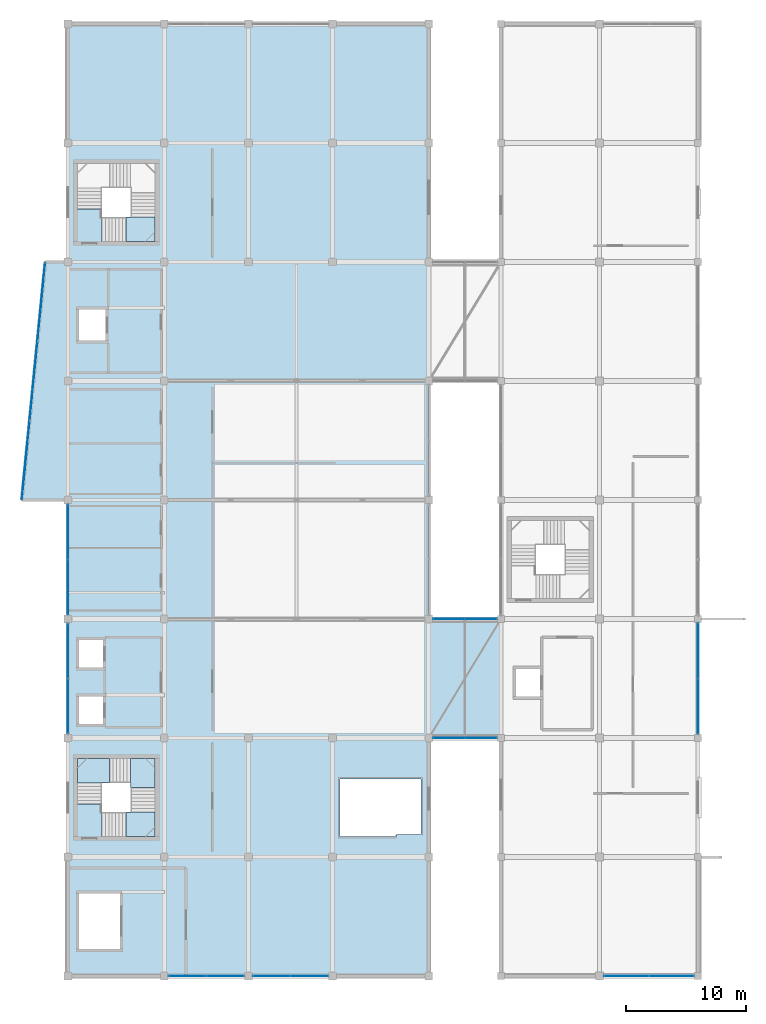
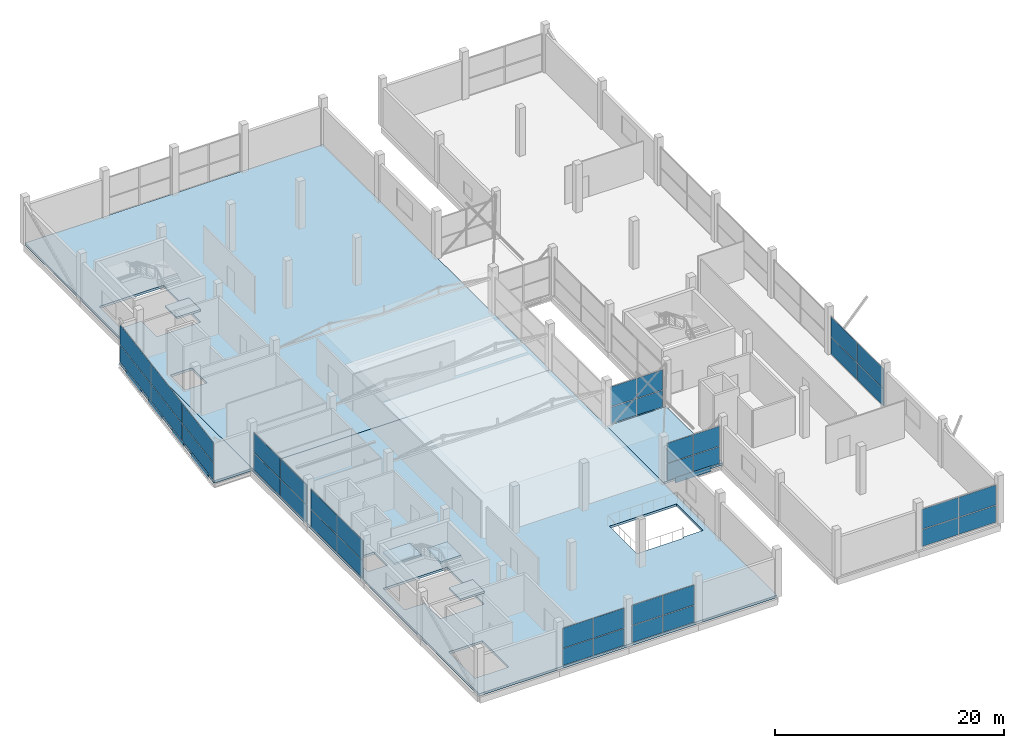
# One storey, part 43 of 58: 44 plates, 8 slabs, 11 elements without a shape of their own.
"""IFC4 building model written with IfcOpenShell, lengths in metres."""

from ifc_helpers import new_model, si_unit, direction, frame, origin, origin_2d, place, context, subcontext, project, spatial, polyline, rectangle, outline, extrude, material, layer, layer_set, type_object, element, aggregate, save


model = new_model("IFC4")

# Units and contexts
model_context = context("Model", 3, precision=1e-05, world=origin(), true_north=direction((0.0, 1.0)))
body_context = subcontext(model_context, "Body", "Model", "MODEL_VIEW")
ifc_project = project(units=[si_unit("LENGTHUNIT", "METRE"), si_unit("AREAUNIT", "SQUARE_METRE"), si_unit("VOLUMEUNIT", "CUBIC_METRE"), si_unit("PLANEANGLEUNIT", "RADIAN"), si_unit("MASSUNIT", "GRAM", prefix="KILO")], contexts=[model_context])

# Site, building, storey
site_placement = place(None, origin())
site = spatial("IfcSite", under=ifc_project, at=site_placement, CompositionType="ELEMENT")
building_placement = place(site_placement, origin())
building = spatial("IfcBuilding", under=site, at=building_placement, Name="Sillaruma Civic Art Gallery", CompositionType="ELEMENT")
storey_placement = place(building_placement, frame((0.0, 0.0, 52.02001953125)))
storey = spatial("IfcBuildingStorey", under=building, at=storey_placement, Name="L10", CompositionType="ELEMENT", Elevation=52.02001953125)

# Plates
ifc_material_1 = material(Name="Anodised Zinc-Aluminium Alloy", Category="aluminium")
ifc_layer_1 = layer(ifc_material_1, 0.044921875, Name="Anodised Zinc-Aluminium Alloy")
ifc_layer_set_1 = layer_set([ifc_layer_1], Name="Anodised Zinc-Aluminium Alloy")
plate_type_1 = type_object("IfcPlateType", Name="PLT-FAS-01", PredefinedType="USERDEFINED", material=ifc_layer_set_1)
for number, where, z_axis, x_axis, name in (
    (1, (58.4423828125, 62.3701171875, -0.489990234375), (0.0, 0.0, 1.0), (-0.098010679679, -0.99518536297, 0.0), "Folded Fascia Cassette (PRW-L10-W-4)"),
    (2, (95.0, 39.60009765625, -0.469970703125), (0.0, 0.0, 1.0), (1.0, 0.0, 0.0), "Sky-Bridge Fascia Cassette (BRG-S:L10:S)"),
    (3, (95.0, 49.5, -0.469970703125), (0.0, 0.0, 1.0), (1.0, 0.0, 0.0), "Sky-Bridge Fascia Cassette (BRG-S:L10:N)"),
):
    element("IfcPlate", number, at=place(storey_placement, frame(where, z_axis=z_axis, x_axis=x_axis)), inside=storey, type_object=plate_type_1, Name=name, ObjectType="FASCIA CASSETTE", PredefinedType="USERDEFINED", context=body_context, shape_type="SweptSolid", body=[
        extrude(rectangle(XDim=3.60009765625, YDim=0.044921875, at=origin_2d()), origin(), (0.0, 0.0, 1.0), 0.580078125),
    ])
ifc_layer_2 = layer(ifc_material_1, 0.041015625, Name="Anodised Zinc-Aluminium Alloy")
ifc_layer_set_2 = layer_set([ifc_layer_2], Name="Anodised Zinc-Aluminium Alloy")
plate_type_2 = type_object("IfcPlateType", Name="PLT-FAS-02", PredefinedType="USERDEFINED", material=ifc_layer_set_2)
plate_1_placement = place(storey_placement, frame((59.8076171875, 76.22998046875, -0.4599609375), z_axis=(0.0, 0.0, 1.0), x_axis=(-0.098010679679, -0.99518536297, 0.0)))
element("IfcPlate", 4, at=plate_1_placement, inside=storey, type_object=plate_type_2, Name="Folded Fascia Cassette (PRW-L10-W-1)", ObjectType="FASCIA CASSETTE", PredefinedType="USERDEFINED", context=body_context, shape_type="SweptSolid", body=[
    extrude(rectangle(XDim=3.199951171875, YDim=0.041015625, at=origin_2d()), origin(), (0.0, 0.0, 1.0), 0.52001953125),
])
ifc_layer_3 = layer(ifc_material_1, 0.0380859375, Name="Anodised Zinc-Aluminium Alloy")
ifc_layer_set_3 = layer_set([ifc_layer_3], Name="Anodised Zinc-Aluminium Alloy")
plate_type_3 = type_object("IfcPlateType", Name="PLT-FAS-03", PredefinedType="USERDEFINED", material=ifc_layer_set_3)
plate_2_placement = place(storey_placement, frame((59.35888671875, 71.676025390625, -0.43994140625), z_axis=(0.0, 0.0, 1.0), x_axis=(-0.098010679679, -0.99518536297, 0.0)))
element("IfcPlate", 5, at=plate_2_placement, inside=storey, type_object=plate_type_3, Name="Folded Fascia Cassette (PRW-L10-W-2)", ObjectType="FASCIA CASSETTE", PredefinedType="USERDEFINED", context=body_context, shape_type="SweptSolid", body=[
    extrude(rectangle(XDim=2.800048828125, YDim=0.0380859375, at=origin_2d()), origin(), (0.0, 0.0, 1.0), 0.47998046875),
])
ifc_layer_4 = layer(ifc_material_1, 0.034912109375, Name="Anodised Zinc-Aluminium Alloy")
ifc_layer_set_4 = layer_set([ifc_layer_4], Name="Anodised Zinc-Aluminium Alloy")
plate_type_4 = type_object("IfcPlateType", Name="PLT-FAS-04", PredefinedType="USERDEFINED", material=ifc_layer_set_4)
plate_3_placement = place(storey_placement, frame((58.89111328125, 66.924072265625, -0.419921875), z_axis=(0.0, 0.0, 1.0), x_axis=(-0.098010679679, -0.99518536297, 0.0)))
element("IfcPlate", 6, at=plate_3_placement, inside=storey, type_object=plate_type_4, Name="Folded Fascia Cassette (PRW-L10-W-3)", ObjectType="FASCIA CASSETTE", PredefinedType="USERDEFINED", context=body_context, shape_type="SweptSolid", body=[
    extrude(rectangle(XDim=2.39990234375, YDim=0.034912109375, at=origin_2d()), origin(), (0.0, 0.0, 1.0), 0.43994140625),
])

# Curtain wall, plates
ifc_material_2 = material(Name="Thermally Broken Extruded Aluminium 6063-T6", Category="aluminium")
ifc_layer_5 = layer(ifc_material_2, 0.139892578125, Name="Thermally Broken Extruded Aluminium 6063-T6")
ifc_layer_set_5 = layer_set([ifc_layer_5], Name="Thermally Broken Extruded Aluminium 6063-T6")
curtain_wall_type_1 = type_object("IfcCurtainWallType", Name="CW-UNI-77", PredefinedType="NOTDEFINED", material=ifc_layer_set_5)
curtain_wall_1_placement = place(storey_placement, origin())
curtain_wall_1 = element("IfcCurtainWall", 7, at=curtain_wall_1_placement, inside=storey, type_object=curtain_wall_type_1, Name="Unitised Curtain Wall CW-77 (CW-L10-EBE-3)", PredefinedType="NOTDEFINED")
ifc_material_3 = material(Name="Low-E UV-Filtered Laminated Insulating Glass", Category="glass")
ifc_layer_6 = layer(ifc_material_3, 0.028076171875, Name="Low-E UV-Filtered Laminated Insulating Glass")
ifc_layer_set_6 = layer_set([ifc_layer_6], Name="Low-E UV-Filtered Laminated Insulating Glass")
plate_type_5 = type_object("IfcPlateType", Name="PNL-GLZ-28", PredefinedType="CURTAIN_PANEL", material=ifc_layer_set_6)
plate_4_placement = place(storey_placement, frame((114.39990234375, 42.239990234375, 0.06005859375), z_axis=(0.0, 0.0, 1.0), x_axis=(0.0, 1.0, 0.0)))
plate_4 = element("IfcPlate", 8, at=plate_4_placement, type_object=plate_type_5, Name="CW-77 panel 1.1", PredefinedType="CURTAIN_PANEL", context=body_context, shape_type="SweptSolid", body=[
    extrude(rectangle(XDim=4.56005859375, YDim=0.028076171875, at=origin_2d()), origin(), (0.0, 0.0, 1.0), 1.7958984375),
])
plate_5_placement = place(storey_placement, frame((114.39990234375, 42.239990234375, 1.916015625), z_axis=(0.0, 0.0, 1.0), x_axis=(0.0, 1.0, 0.0)))
plate_5 = element("IfcPlate", 9, at=plate_5_placement, type_object=plate_type_5, Name="CW-77 panel 1.2", PredefinedType="CURTAIN_PANEL", context=body_context, shape_type="SweptSolid", body=[
    extrude(rectangle(XDim=4.56005859375, YDim=0.028076171875, at=origin_2d()), origin(), (0.0, 0.0, 1.0), 2.1240234375),
])
plate_6_placement = place(storey_placement, frame((114.39990234375, 46.860107421875, 0.06005859375), z_axis=(0.0, 0.0, 1.0), x_axis=(0.0, 1.0, 0.0)))
plate_6 = element("IfcPlate", 10, at=plate_6_placement, type_object=plate_type_5, Name="CW-77 panel 2.1", PredefinedType="CURTAIN_PANEL", context=body_context, shape_type="SweptSolid", body=[
    extrude(rectangle(XDim=4.56005859375, YDim=0.028076171875, at=origin_2d()), origin(), (0.0, 0.0, 1.0), 1.7958984375),
])
plate_7_placement = place(storey_placement, frame((114.39990234375, 46.860107421875, 1.916015625), z_axis=(0.0, 0.0, 1.0), x_axis=(0.0, 1.0, 0.0)))
plate_7 = element("IfcPlate", 11, at=plate_7_placement, type_object=plate_type_5, Name="CW-77 panel 2.2", PredefinedType="CURTAIN_PANEL", context=body_context, shape_type="SweptSolid", body=[
    extrude(rectangle(XDim=4.56005859375, YDim=0.028076171875, at=origin_2d()), origin(), (0.0, 0.0, 1.0), 2.1240234375),
])
aggregate(curtain_wall_1, [plate_4, plate_5, plate_6, plate_7])

ifc_layer_7 = layer(ifc_material_2, 0.139892578125, Name="Thermally Broken Extruded Aluminium 6063-T6")
ifc_layer_set_7 = layer_set([ifc_layer_7], Name="Thermally Broken Extruded Aluminium 6063-T6")
curtain_wall_type_2 = type_object("IfcCurtainWallType", Name="CW-UNI-84", PredefinedType="NOTDEFINED", material=ifc_layer_set_7)
curtain_wall_2_placement = place(storey_placement, origin())
curtain_wall_2 = element("IfcCurtainWall", 12, at=curtain_wall_2_placement, inside=storey, type_object=curtain_wall_type_2, Name="Unitised Curtain Wall CW-84 (CW-PRW-L10-W-ANG)", PredefinedType="NOTDEFINED")
plate_8_placement = place(storey_placement, frame((59.7734375, 75.885009765625, 0.06005859375), z_axis=(0.0, 0.0, 1.0), x_axis=(-0.098010679679, -0.99518536297, 0.0)))
plate_8 = element("IfcPlate", 13, at=plate_8_placement, type_object=plate_type_5, Name="CW-84 panel 1.1", PredefinedType="CURTAIN_PANEL", context=body_context, shape_type="SweptSolid", body=[
    extrude(rectangle(XDim=6.5419921875, YDim=0.028076171875, at=origin_2d()), origin(), (0.0, 0.0, 1.0), 1.7958984375),
])
plate_9_placement = place(storey_placement, frame((59.7734375, 75.885009765625, 1.916015625), z_axis=(0.0, 0.0, 1.0), x_axis=(-0.098010679679, -0.99518536297, 0.0)))
plate_9 = element("IfcPlate", 14, at=plate_9_placement, type_object=plate_type_5, Name="CW-84 panel 1.2", PredefinedType="CURTAIN_PANEL", context=body_context, shape_type="SweptSolid", body=[
    extrude(rectangle(XDim=6.5419921875, YDim=0.028076171875, at=origin_2d()), origin(), (0.0, 0.0, 1.0), 2.1240234375),
])
plate_10_placement = place(storey_placement, frame((59.125, 69.300048828125, 0.06005859375), z_axis=(0.0, 0.0, 1.0), x_axis=(-0.098010679679, -0.99518536297, 0.0)))
plate_10 = element("IfcPlate", 15, at=plate_10_placement, type_object=plate_type_5, Name="CW-84 panel 2.1", PredefinedType="CURTAIN_PANEL", context=body_context, shape_type="SweptSolid", body=[
    extrude(rectangle(XDim=6.572021484375, YDim=0.028076171875, at=origin_2d()), origin(), (0.0, 0.0, 1.0), 1.7958984375),
])
plate_11_placement = place(storey_placement, frame((59.125, 69.300048828125, 1.916015625), z_axis=(0.0, 0.0, 1.0), x_axis=(-0.098010679679, -0.99518536297, 0.0)))
plate_11 = element("IfcPlate", 16, at=plate_11_placement, type_object=plate_type_5, Name="CW-84 panel 2.2", PredefinedType="CURTAIN_PANEL", context=body_context, shape_type="SweptSolid", body=[
    extrude(rectangle(XDim=6.572021484375, YDim=0.028076171875, at=origin_2d()), origin(), (0.0, 0.0, 1.0), 2.1240234375),
])
plate_12_placement = place(storey_placement, frame((58.4765625, 62.71484375, 0.06005859375), z_axis=(0.0, 0.0, 1.0), x_axis=(-0.098010679679, -0.99518536297, 0.0)))
plate_12 = element("IfcPlate", 17, at=plate_12_placement, type_object=plate_type_5, Name="CW-84 panel 3.1", PredefinedType="CURTAIN_PANEL", context=body_context, shape_type="SweptSolid", body=[
    extrude(rectangle(XDim=6.5419921875, YDim=0.028076171875, at=origin_2d()), origin(), (0.0, 0.0, 1.0), 1.7958984375),
])
plate_13_placement = place(storey_placement, frame((58.4765625, 62.71484375, 1.916015625), z_axis=(0.0, 0.0, 1.0), x_axis=(-0.098010679679, -0.99518536297, 0.0)))
plate_13 = element("IfcPlate", 18, at=plate_13_placement, type_object=plate_type_5, Name="CW-84 panel 3.2", PredefinedType="CURTAIN_PANEL", context=body_context, shape_type="SweptSolid", body=[
    extrude(rectangle(XDim=6.5419921875, YDim=0.028076171875, at=origin_2d()), origin(), (0.0, 0.0, 1.0), 2.1240234375),
])
aggregate(curtain_wall_2, [plate_8, plate_9, plate_10, plate_11, plate_12, plate_13])

# Curtain wall, plate
ifc_layer_8 = layer(ifc_material_2, 0.139892578125, Name="Thermally Broken Extruded Aluminium 6063-T6")
ifc_layer_set_8 = layer_set([ifc_layer_8], Name="Thermally Broken Extruded Aluminium 6063-T6")
curtain_wall_type_3 = type_object("IfcCurtainWallType", Name="CW-UNI-85", PredefinedType="NOTDEFINED", material=ifc_layer_set_8)
curtain_wall_3_placement = place(storey_placement, origin())
curtain_wall_3 = element("IfcCurtainWall", 19, at=curtain_wall_3_placement, inside=storey, type_object=curtain_wall_type_3, Name="Unitised Curtain Wall CW-85 (CW-BRG-S-L10-S)", PredefinedType="NOTDEFINED")
plate_14_placement = place(storey_placement, frame((96.34130859375, 39.60009765625, 0.06005859375), z_axis=(0.0, 0.0, 1.0), x_axis=(1.0, 0.0, 0.0)))
plate_14 = element("IfcPlate", 20, at=plate_14_placement, type_object=plate_type_5, Name="CW-85 panel 2.1", PredefinedType="CURTAIN_PANEL", context=body_context, shape_type="SweptSolid", body=[
    extrude(rectangle(XDim=2.597412109375, YDim=0.028076171875, at=origin_2d()), origin(), (0.0, 0.0, 1.0), 1.7958984375),
])

curtain_wall_4_placement = place(storey_placement, origin())
curtain_wall_4 = element("IfcCurtainWall", 21, at=curtain_wall_4_placement, inside=storey, type_object=curtain_wall_type_3, Name="Unitised Curtain Wall CW-85 (CW-BRG-S-L10-N)", PredefinedType="NOTDEFINED")
plate_15_placement = place(storey_placement, frame((96.34130859375, 49.5, 0.06005859375), z_axis=(0.0, 0.0, 1.0), x_axis=(1.0, 0.0, 0.0)))
plate_15 = element("IfcPlate", 22, at=plate_15_placement, type_object=plate_type_5, Name="CW-85 panel 2.1", PredefinedType="CURTAIN_PANEL", context=body_context, shape_type="SweptSolid", body=[
    extrude(rectangle(XDim=2.597412109375, YDim=0.028076171875, at=origin_2d()), origin(), (0.0, 0.0, 1.0), 1.7958984375),
])

# Curtain wall, plates
ifc_layer_9 = layer(ifc_material_2, 0.159912109375, Name="Thermally Broken Extruded Aluminium 6063-T6")
ifc_layer_set_9 = layer_set([ifc_layer_9], Name="Thermally Broken Extruded Aluminium 6063-T6")
curtain_wall_type_4 = type_object("IfcCurtainWallType", Name="CW-UNI-73", PredefinedType="NOTDEFINED", material=ifc_layer_set_9)
curtain_wall_5_placement = place(storey_placement, origin())
curtain_wall_5 = element("IfcCurtainWall", 23, at=curtain_wall_5_placement, inside=storey, type_object=curtain_wall_type_4, Name="Unitised Curtain Wall CW-73 (CW-L10-WBW-3)", PredefinedType="NOTDEFINED")
ifc_layer_10 = layer(ifc_material_3, 0.030029296875, Name="Low-E UV-Filtered Laminated Insulating Glass")
ifc_layer_set_10 = layer_set([ifc_layer_10], Name="Low-E UV-Filtered Laminated Insulating Glass")
plate_type_6 = type_object("IfcPlateType", Name="PNL-GLZ-30", PredefinedType="CURTAIN_PANEL", material=ifc_layer_set_10)
plate_16_placement = place(storey_placement, frame((62.0, 42.253662109375, 0.06005859375), z_axis=(0.0, 0.0, 1.0), x_axis=(0.0, 1.0, 0.0)))
plate_16 = element("IfcPlate", 24, at=plate_16_placement, type_object=plate_type_6, Name="CW-73 panel 1.1", PredefinedType="CURTAIN_PANEL", context=body_context, shape_type="SweptSolid", body=[
    extrude(rectangle(XDim=4.527587890625, YDim=0.030029296875, at=origin_2d()), origin(), (0.0, 0.0, 1.0), 1.7958984375),
])
plate_17_placement = place(storey_placement, frame((62.0, 42.253662109375, 1.916015625), z_axis=(0.0, 0.0, 1.0), x_axis=(0.0, 1.0, 0.0)))
plate_17 = element("IfcPlate", 25, at=plate_17_placement, type_object=plate_type_6, Name="CW-73 panel 1.2", PredefinedType="CURTAIN_PANEL", context=body_context, shape_type="SweptSolid", body=[
    extrude(rectangle(XDim=4.527587890625, YDim=0.030029296875, at=origin_2d()), origin(), (0.0, 0.0, 1.0), 2.1240234375),
])
plate_18_placement = place(storey_placement, frame((62.0, 46.84619140625, 0.06005859375), z_axis=(0.0, 0.0, 1.0), x_axis=(0.0, 1.0, 0.0)))
plate_18 = element("IfcPlate", 26, at=plate_18_placement, type_object=plate_type_6, Name="CW-73 panel 2.1", PredefinedType="CURTAIN_PANEL", context=body_context, shape_type="SweptSolid", body=[
    extrude(rectangle(XDim=4.527587890625, YDim=0.030029296875, at=origin_2d()), origin(), (0.0, 0.0, 1.0), 1.7958984375),
])
plate_19_placement = place(storey_placement, frame((62.0, 46.84619140625, 1.916015625), z_axis=(0.0, 0.0, 1.0), x_axis=(0.0, 1.0, 0.0)))
plate_19 = element("IfcPlate", 27, at=plate_19_placement, type_object=plate_type_6, Name="CW-73 panel 2.2", PredefinedType="CURTAIN_PANEL", context=body_context, shape_type="SweptSolid", body=[
    extrude(rectangle(XDim=4.527587890625, YDim=0.030029296875, at=origin_2d()), origin(), (0.0, 0.0, 1.0), 2.1240234375),
])
aggregate(curtain_wall_5, [plate_16, plate_17, plate_18, plate_19])

ifc_layer_11 = layer(ifc_material_2, 0.159912109375, Name="Thermally Broken Extruded Aluminium 6063-T6")
ifc_layer_set_11 = layer_set([ifc_layer_11], Name="Thermally Broken Extruded Aluminium 6063-T6")
curtain_wall_type_5 = type_object("IfcCurtainWallType", Name="CW-UNI-68", PredefinedType="NOTDEFINED", material=ifc_layer_set_11)
curtain_wall_6_placement = place(storey_placement, origin())
curtain_wall_6 = element("IfcCurtainWall", 28, at=curtain_wall_6_placement, inside=storey, type_object=curtain_wall_type_5, Name="Unitised Curtain Wall CW-68 (CW-L10-WBS-2)", PredefinedType="NOTDEFINED")
plate_20_placement = place(storey_placement, frame((71.9287109375, 19.800048828125, 0.06005859375), z_axis=(0.0, 0.0, 1.0), x_axis=(1.0, 0.0, 0.0)))
plate_20 = element("IfcPlate", 29, at=plate_20_placement, type_object=plate_type_6, Name="CW-68 panel 1.1", PredefinedType="CURTAIN_PANEL", context=body_context, shape_type="SweptSolid", body=[
    extrude(rectangle(XDim=3.077392578125, YDim=0.030029296875, at=origin_2d()), origin(), (0.0, 0.0, 1.0), 1.7958984375),
])
plate_21_placement = place(storey_placement, frame((71.9287109375, 19.800048828125, 1.916015625), z_axis=(0.0, 0.0, 1.0), x_axis=(1.0, 0.0, 0.0)))
plate_21 = element("IfcPlate", 30, at=plate_21_placement, type_object=plate_type_6, Name="CW-68 panel 1.2", PredefinedType="CURTAIN_PANEL", context=body_context, shape_type="SweptSolid", body=[
    extrude(rectangle(XDim=3.077392578125, YDim=0.030029296875, at=origin_2d()), origin(), (0.0, 0.0, 1.0), 2.1240234375),
])
plate_22_placement = place(storey_placement, frame((75.0712890625, 19.800048828125, 0.06005859375), z_axis=(0.0, 0.0, 1.0), x_axis=(1.0, 0.0, 0.0)))
plate_22 = element("IfcPlate", 31, at=plate_22_placement, type_object=plate_type_6, Name="CW-68 panel 2.1", PredefinedType="CURTAIN_PANEL", context=body_context, shape_type="SweptSolid", body=[
    extrude(rectangle(XDim=3.077392578125, YDim=0.030029296875, at=origin_2d()), origin(), (0.0, 0.0, 1.0), 1.7958984375),
])
plate_23_placement = place(storey_placement, frame((75.0712890625, 19.800048828125, 1.916015625), z_axis=(0.0, 0.0, 1.0), x_axis=(1.0, 0.0, 0.0)))
plate_23 = element("IfcPlate", 32, at=plate_23_placement, type_object=plate_type_6, Name="CW-68 panel 2.2", PredefinedType="CURTAIN_PANEL", context=body_context, shape_type="SweptSolid", body=[
    extrude(rectangle(XDim=3.077392578125, YDim=0.030029296875, at=origin_2d()), origin(), (0.0, 0.0, 1.0), 2.1240234375),
])
aggregate(curtain_wall_6, [plate_20, plate_21, plate_22, plate_23])

ifc_layer_12 = layer(ifc_material_2, 0.139892578125, Name="Thermally Broken Extruded Aluminium 6063-T6")
ifc_layer_set_12 = layer_set([ifc_layer_12], Name="Thermally Broken Extruded Aluminium 6063-T6")
curtain_wall_type_6 = type_object("IfcCurtainWallType", Name="CW-UNI-70", PredefinedType="NOTDEFINED", material=ifc_layer_set_12)
curtain_wall_7_placement = place(storey_placement, origin())
curtain_wall_7 = element("IfcCurtainWall", 33, at=curtain_wall_7_placement, inside=storey, type_object=curtain_wall_type_6, Name="Unitised Curtain Wall CW-70 (CW-L10-WBW-4)", PredefinedType="NOTDEFINED")
ifc_layer_13 = layer(ifc_material_3, 0.033935546875, Name="Low-E UV-Filtered Laminated Insulating Glass")
ifc_layer_set_13 = layer_set([ifc_layer_13], Name="Low-E UV-Filtered Laminated Insulating Glass")
plate_type_7 = type_object("IfcPlateType", Name="PNL-GLZ-34", PredefinedType="CURTAIN_PANEL", material=ifc_layer_set_13)
plate_24_placement = place(storey_placement, frame((62.0, 52.152587890625, 0.06494140625), z_axis=(0.0, 0.0, 1.0), x_axis=(0.0, 1.0, 0.0)))
plate_24 = element("IfcPlate", 34, at=plate_24_placement, type_object=plate_type_7, Name="CW-70 panel 1.1", PredefinedType="CURTAIN_PANEL", context=body_context, shape_type="SweptSolid", body=[
    extrude(rectangle(XDim=4.534912109375, YDim=0.033935546875, at=origin_2d()), origin(), (0.0, 0.0, 1.0), 1.78857421875),
])
plate_25_placement = place(storey_placement, frame((62.0, 52.152587890625, 1.91845703125), z_axis=(0.0, 0.0, 1.0), x_axis=(0.0, 1.0, 0.0)))
plate_25 = element("IfcPlate", 35, at=plate_25_placement, type_object=plate_type_7, Name="CW-70 panel 1.2", PredefinedType="CURTAIN_PANEL", context=body_context, shape_type="SweptSolid", body=[
    extrude(rectangle(XDim=4.534912109375, YDim=0.033935546875, at=origin_2d()), origin(), (0.0, 0.0, 1.0), 2.116455078125),
])
plate_26_placement = place(storey_placement, frame((62.0, 56.74755859375, 0.06494140625), z_axis=(0.0, 0.0, 1.0), x_axis=(0.0, 1.0, 0.0)))
plate_26 = element("IfcPlate", 36, at=plate_26_placement, type_object=plate_type_7, Name="CW-70 panel 2.1", PredefinedType="CURTAIN_PANEL", context=body_context, shape_type="SweptSolid", body=[
    extrude(rectangle(XDim=4.534912109375, YDim=0.033935546875, at=origin_2d()), origin(), (0.0, 0.0, 1.0), 1.78857421875),
])
plate_27_placement = place(storey_placement, frame((62.0, 56.74755859375, 1.91845703125), z_axis=(0.0, 0.0, 1.0), x_axis=(0.0, 1.0, 0.0)))
plate_27 = element("IfcPlate", 37, at=plate_27_placement, type_object=plate_type_7, Name="CW-70 panel 2.2", PredefinedType="CURTAIN_PANEL", context=body_context, shape_type="SweptSolid", body=[
    extrude(rectangle(XDim=4.534912109375, YDim=0.033935546875, at=origin_2d()), origin(), (0.0, 0.0, 1.0), 2.116455078125),
])
aggregate(curtain_wall_7, [plate_24, plate_25, plate_26, plate_27])

ifc_layer_14 = layer(ifc_material_2, 0.139892578125, Name="Thermally Broken Extruded Aluminium 6063-T6")
ifc_layer_set_14 = layer_set([ifc_layer_14], Name="Thermally Broken Extruded Aluminium 6063-T6")
curtain_wall_type_7 = type_object("IfcCurtainWallType", Name="CW-UNI-76", PredefinedType="NOTDEFINED", material=ifc_layer_set_14)
curtain_wall_8_placement = place(storey_placement, origin())
curtain_wall_8 = element("IfcCurtainWall", 38, at=curtain_wall_8_placement, inside=storey, type_object=curtain_wall_type_7, Name="Unitised Curtain Wall CW-76 (CW-L10-WBS-3)", PredefinedType="NOTDEFINED")
plate_28_placement = place(storey_placement, frame((78.927490234375, 19.800048828125, 0.06494140625), z_axis=(0.0, 0.0, 1.0), x_axis=(1.0, 0.0, 0.0)))
plate_28 = element("IfcPlate", 39, at=plate_28_placement, type_object=plate_type_7, Name="CW-76 panel 1.1", PredefinedType="CURTAIN_PANEL", context=body_context, shape_type="SweptSolid", body=[
    extrude(rectangle(XDim=3.0849609375, YDim=0.033935546875, at=origin_2d()), origin(), (0.0, 0.0, 1.0), 1.78857421875),
])
plate_29_placement = place(storey_placement, frame((78.927490234375, 19.800048828125, 1.91845703125), z_axis=(0.0, 0.0, 1.0), x_axis=(1.0, 0.0, 0.0)))
plate_29 = element("IfcPlate", 40, at=plate_29_placement, type_object=plate_type_7, Name="CW-76 panel 1.2", PredefinedType="CURTAIN_PANEL", context=body_context, shape_type="SweptSolid", body=[
    extrude(rectangle(XDim=3.0849609375, YDim=0.033935546875, at=origin_2d()), origin(), (0.0, 0.0, 1.0), 2.116455078125),
])
plate_30_placement = place(storey_placement, frame((82.072509765625, 19.800048828125, 0.06494140625), z_axis=(0.0, 0.0, 1.0), x_axis=(1.0, 0.0, 0.0)))
plate_30 = element("IfcPlate", 41, at=plate_30_placement, type_object=plate_type_7, Name="CW-76 panel 2.1", PredefinedType="CURTAIN_PANEL", context=body_context, shape_type="SweptSolid", body=[
    extrude(rectangle(XDim=3.0849609375, YDim=0.033935546875, at=origin_2d()), origin(), (0.0, 0.0, 1.0), 1.78857421875),
])
plate_31_placement = place(storey_placement, frame((82.072509765625, 19.800048828125, 1.91845703125), z_axis=(0.0, 0.0, 1.0), x_axis=(1.0, 0.0, 0.0)))
plate_31 = element("IfcPlate", 42, at=plate_31_placement, type_object=plate_type_7, Name="CW-76 panel 2.2", PredefinedType="CURTAIN_PANEL", context=body_context, shape_type="SweptSolid", body=[
    extrude(rectangle(XDim=3.0849609375, YDim=0.033935546875, at=origin_2d()), origin(), (0.0, 0.0, 1.0), 2.116455078125),
])
aggregate(curtain_wall_8, [plate_28, plate_29, plate_30, plate_31])

ifc_layer_15 = layer(ifc_material_2, 0.139892578125, Name="Thermally Broken Extruded Aluminium 6063-T6")
ifc_layer_set_15 = layer_set([ifc_layer_15], Name="Thermally Broken Extruded Aluminium 6063-T6")
curtain_wall_type_8 = type_object("IfcCurtainWallType", Name="CW-UNI-83", PredefinedType="NOTDEFINED", material=ifc_layer_set_15)
curtain_wall_9_placement = place(storey_placement, origin())
curtain_wall_9 = element("IfcCurtainWall", 43, at=curtain_wall_9_placement, inside=storey, type_object=curtain_wall_type_8, Name="Unitised Curtain Wall CW-83 (CW-L10-EBS-2)", PredefinedType="NOTDEFINED")
plate_32_placement = place(storey_placement, frame((108.433837890625, 19.800048828125, 0.06494140625), z_axis=(0.0, 0.0, 1.0), x_axis=(1.0, 0.0, 0.0)))
plate_32 = element("IfcPlate", 44, at=plate_32_placement, type_object=plate_type_7, Name="CW-83 panel 1.1", PredefinedType="CURTAIN_PANEL", context=body_context, shape_type="SweptSolid", body=[
    extrude(rectangle(XDim=3.697509765625, YDim=0.033935546875, at=origin_2d()), origin(), (0.0, 0.0, 1.0), 1.78857421875),
])
plate_33_placement = place(storey_placement, frame((108.433837890625, 19.800048828125, 1.91845703125), z_axis=(0.0, 0.0, 1.0), x_axis=(1.0, 0.0, 0.0)))
plate_33 = element("IfcPlate", 45, at=plate_33_placement, type_object=plate_type_7, Name="CW-83 panel 1.2", PredefinedType="CURTAIN_PANEL", context=body_context, shape_type="SweptSolid", body=[
    extrude(rectangle(XDim=3.697509765625, YDim=0.033935546875, at=origin_2d()), origin(), (0.0, 0.0, 1.0), 2.116455078125),
])
plate_34_placement = place(storey_placement, frame((112.191162109375, 19.800048828125, 0.06494140625), z_axis=(0.0, 0.0, 1.0), x_axis=(1.0, 0.0, 0.0)))
plate_34 = element("IfcPlate", 46, at=plate_34_placement, type_object=plate_type_7, Name="CW-83 panel 2.1", PredefinedType="CURTAIN_PANEL", context=body_context, shape_type="SweptSolid", body=[
    extrude(rectangle(XDim=3.697509765625, YDim=0.033935546875, at=origin_2d()), origin(), (0.0, 0.0, 1.0), 1.78857421875),
])
plate_35_placement = place(storey_placement, frame((112.191162109375, 19.800048828125, 1.91845703125), z_axis=(0.0, 0.0, 1.0), x_axis=(1.0, 0.0, 0.0)))
plate_35 = element("IfcPlate", 47, at=plate_35_placement, type_object=plate_type_7, Name="CW-83 panel 2.2", PredefinedType="CURTAIN_PANEL", context=body_context, shape_type="SweptSolid", body=[
    extrude(rectangle(XDim=3.697509765625, YDim=0.033935546875, at=origin_2d()), origin(), (0.0, 0.0, 1.0), 2.116455078125),
])
aggregate(curtain_wall_9, [plate_32, plate_33, plate_34, plate_35])

# Plate
ifc_layer_16 = layer(ifc_material_1, 0.028076171875, Name="Anodised Zinc-Aluminium Alloy")
ifc_layer_set_16 = layer_set([ifc_layer_16], Name="Anodised Zinc-Aluminium Alloy")
plate_type_8 = type_object("IfcPlateType", Name="PNL-SPD-28", PredefinedType="CURTAIN_PANEL", material=ifc_layer_set_16)
plate_36_placement = place(storey_placement, frame((93.683837890625, 39.60009765625, 0.06005859375), z_axis=(0.0, 0.0, 1.0), x_axis=(1.0, 0.0, 0.0)))
plate_36 = element("IfcPlate", 48, at=plate_36_placement, type_object=plate_type_8, Name="CW-85 panel 1.1", PredefinedType="CURTAIN_PANEL", context=body_context, shape_type="SweptSolid", body=[
    extrude(rectangle(XDim=2.597412109375, YDim=0.028076171875, at=origin_2d()), origin(), (0.0, 0.0, 1.0), 1.7958984375),
])

plate_37_placement = place(storey_placement, frame((93.683837890625, 39.60009765625, 1.916015625), z_axis=(0.0, 0.0, 1.0), x_axis=(1.0, 0.0, 0.0)))
plate_37 = element("IfcPlate", 49, at=plate_37_placement, type_object=plate_type_8, Name="CW-85 panel 1.2", PredefinedType="CURTAIN_PANEL", context=body_context, shape_type="SweptSolid", body=[
    extrude(rectangle(XDim=2.597412109375, YDim=0.028076171875, at=origin_2d()), origin(), (0.0, 0.0, 1.0), 2.1240234375),
])

plate_38_placement = place(storey_placement, frame((96.34130859375, 39.60009765625, 1.916015625), z_axis=(0.0, 0.0, 1.0), x_axis=(1.0, 0.0, 0.0)))
plate_38 = element("IfcPlate", 50, at=plate_38_placement, type_object=plate_type_8, Name="CW-85 panel 2.2", PredefinedType="CURTAIN_PANEL", context=body_context, shape_type="SweptSolid", body=[
    extrude(rectangle(XDim=2.597412109375, YDim=0.028076171875, at=origin_2d()), origin(), (0.0, 0.0, 1.0), 2.1240234375),
])

aggregate(curtain_wall_3, [plate_36, plate_37, plate_14, plate_38])

plate_39_placement = place(storey_placement, frame((93.683837890625, 49.5, 0.06005859375), z_axis=(0.0, 0.0, 1.0), x_axis=(1.0, 0.0, 0.0)))
plate_39 = element("IfcPlate", 51, at=plate_39_placement, type_object=plate_type_8, Name="CW-85 panel 1.1", PredefinedType="CURTAIN_PANEL", context=body_context, shape_type="SweptSolid", body=[
    extrude(rectangle(XDim=2.597412109375, YDim=0.028076171875, at=origin_2d()), origin(), (0.0, 0.0, 1.0), 1.7958984375),
])

plate_40_placement = place(storey_placement, frame((93.683837890625, 49.5, 1.916015625), z_axis=(0.0, 0.0, 1.0), x_axis=(1.0, 0.0, 0.0)))
plate_40 = element("IfcPlate", 52, at=plate_40_placement, type_object=plate_type_8, Name="CW-85 panel 1.2", PredefinedType="CURTAIN_PANEL", context=body_context, shape_type="SweptSolid", body=[
    extrude(rectangle(XDim=2.597412109375, YDim=0.028076171875, at=origin_2d()), origin(), (0.0, 0.0, 1.0), 2.1240234375),
])

plate_41_placement = place(storey_placement, frame((96.34130859375, 49.5, 1.916015625), z_axis=(0.0, 0.0, 1.0), x_axis=(1.0, 0.0, 0.0)))
plate_41 = element("IfcPlate", 53, at=plate_41_placement, type_object=plate_type_8, Name="CW-85 panel 2.2", PredefinedType="CURTAIN_PANEL", context=body_context, shape_type="SweptSolid", body=[
    extrude(rectangle(XDim=2.597412109375, YDim=0.028076171875, at=origin_2d()), origin(), (0.0, 0.0, 1.0), 2.1240234375),
])

aggregate(curtain_wall_4, [plate_39, plate_40, plate_15, plate_41])

# Slabs
ifc_material_4 = material(Name="Concrete H35 (35 MPa)", Category="concrete")
ifc_layer_17 = layer(ifc_material_4, 0.2099609375, Name="Concrete H35 (35 MPa)")
ifc_layer_set_17 = layer_set([ifc_layer_17], Name="Concrete H35 (35 MPa)")
slab_type_1 = type_object("IfcSlabType", Name="SLB-FLR-210", PredefinedType="FLOOR", material=ifc_layer_set_17)
slab_1_placement = place(storey_placement, frame((0.0, 0.0, -0.2099609375)))
element("IfcSlab", 54, at=slab_1_placement, inside=storey, type_object=slab_type_1, Name="Floor Slab SF-210 (SLB-L10-BRGS)", PredefinedType="FLOOR", context=body_context, shape_type="SweptSolid", body=[
    extrude(outline(polyline([(92.0, 39.60009765625), (98.0, 39.60009765625), (98.0, 49.5), (92.0, 49.5), (92.0, 39.60009765625)])), origin(), (0.0, 0.0, 1.0), 0.2099609375),
])
ifc_layer_18 = layer(ifc_material_4, 0.25, Name="Concrete H35 (35 MPa)")
ifc_layer_set_18 = layer_set([ifc_layer_18], Name="Concrete H35 (35 MPa)")
slab_type_2 = type_object("IfcSlabType", Name="SLB-FLR-250", PredefinedType="FLOOR", material=ifc_layer_set_18)
slab_2_placement = place(storey_placement, frame((0.0, 0.0, -0.25)))
element("IfcSlab", 55, at=slab_2_placement, inside=storey, type_object=slab_type_2, Name="Floor Slab SF-250 (SLB-L10-WESTS)", PredefinedType="FLOOR", context=body_context, shape_type="SweptSolid", body=[
    extrude(outline(polyline([(62.0, 19.800048828125), (92.0, 19.800048828125), (92.0, 59.39990234375), (62.0, 59.39990234375), (62.0, 19.800048828125)]), holes=[polyline([(64.81494140625, 31.409912109375), (69.239990234375, 31.409912109375), (69.239990234375, 37.889892578125), (62.760009765625, 37.889892578125), (62.760009765625, 34.125), (64.81494140625, 34.125), (64.81494140625, 31.409912109375)]), polyline([(84.60009765625, 31.39990234375), (89.320068359375, 31.39990234375), (89.320068359375, 31.56494140625), (91.360107421875, 31.56494140625), (91.360107421875, 36.199951171875), (84.60009765625, 36.199951171875), (84.60009765625, 31.39990234375)]), polyline([(62.89990234375, 40.75), (64.89990234375, 40.75), (64.89990234375, 43.050048828125), (62.89990234375, 43.050048828125), (62.89990234375, 40.75)]), polyline([(62.89990234375, 45.449951171875), (64.89990234375, 45.449951171875), (64.89990234375, 47.75), (62.89990234375, 47.75), (62.89990234375, 45.449951171875)]), polyline([(62.89990234375, 22.050048828125), (66.300048828125, 22.050048828125), (66.300048828125, 26.64990234375), (62.89990234375, 26.64990234375), (62.89990234375, 22.050048828125)])]), origin(), (0.0, 0.0, 1.0), 0.25),
])
slab_3_placement = place(storey_placement, frame((0.0, 0.0, -0.25)))
element("IfcSlab", 56, at=slab_3_placement, inside=storey, type_object=slab_type_2, Name="Floor Slab SF-250 (SLB-L10-WESTN)", PredefinedType="FLOOR", context=body_context, shape_type="SweptSolid", body=[
    extrude(outline(polyline([(62.0, 59.39990234375), (92.0, 59.39990234375), (92.0, 99.0), (62.0, 99.0), (62.0, 59.39990234375)]), holes=[polyline([(64.81494140625, 80.909912109375), (69.239990234375, 80.909912109375), (69.239990234375, 87.389892578125), (62.760009765625, 87.389892578125), (62.760009765625, 83.625), (64.81494140625, 83.625), (64.81494140625, 80.909912109375)]), polyline([(62.89990234375, 72.64990234375), (65.10009765625, 72.64990234375), (65.10009765625, 75.25), (62.89990234375, 75.25), (62.89990234375, 72.64990234375)])]), origin(), (0.0, 0.0, 1.0), 0.25),
])
slab_4_placement = place(storey_placement, frame((0.0, 0.0, -0.25)))
element("IfcSlab", 57, at=slab_4_placement, inside=storey, type_object=slab_type_2, Name="Floor Slab SF-250 (SLB-L10-PRWW)", PredefinedType="FLOOR", context=body_context, shape_type="SweptSolid", body=[
    extrude(outline(polyline([(62.0, 59.39990234375), (62.0, 79.199951171875), (60.10009765625, 79.199951171875), (58.14990234375, 59.39990234375), (62.0, 59.39990234375)])), origin(), (0.0, 0.0, 1.0), 0.25),
])

# Stair, slab
stair_type = type_object("IfcStairType", Name="STR-4F-30", PredefinedType="USERDEFINED", material=ifc_material_4)
stair_1_placement = place(storey_placement, origin())
stair_1 = element("IfcStair", 58, at=stair_1_placement, inside=storey, type_object=stair_type, Name="Protected Exit Stair ST-02 (West Bar North) (L10)", ObjectType="THREE_RETURN_STAIR", PredefinedType="USERDEFINED")
ifc_layer_19 = layer(ifc_material_4, 0.199951171875, Name="Concrete H35 (35 MPa)")
ifc_layer_set_19 = layer_set([ifc_layer_19], Name="Concrete H35 (35 MPa)")
slab_type_3 = type_object("IfcSlabType", Name="SLB-LND-200", PredefinedType="LANDING", material=ifc_layer_set_19)
slab_5_placement = place(storey_placement, frame((0.0, 0.0, 1.159912109375)))
slab_5 = element("IfcSlab", 59, at=slab_5_placement, type_object=slab_type_3, Name="ST-02 landing 1", PredefinedType="LANDING", context=body_context, shape_type="SweptSolid", body=[
    extrude(outline(polyline([(66.830078125, 80.909912109375), (69.239990234375, 80.909912109375), (69.239990234375, 82.949951171875), (66.830078125, 82.949951171875), (66.830078125, 80.909912109375)])), origin(), (0.0, 0.0, 1.0), 0.199951171875),
])
aggregate(stair_1, [slab_5])

# Stair, slabs
stair_2_placement = place(storey_placement, origin())
stair_2 = element("IfcStair", 60, at=stair_2_placement, inside=storey, type_object=stair_type, Name="Protected Exit Stair ST-03 (West Bar South) (L10)", ObjectType="THREE_RETURN_STAIR", PredefinedType="USERDEFINED")
slab_6_placement = place(storey_placement, frame((0.0, 0.0, 1.159912109375)))
slab_6 = element("IfcSlab", 61, at=slab_6_placement, type_object=slab_type_3, Name="ST-03 landing 1", PredefinedType="LANDING", context=body_context, shape_type="SweptSolid", body=[
    extrude(outline(polyline([(66.830078125, 31.409912109375), (69.239990234375, 31.409912109375), (69.239990234375, 33.449951171875), (66.830078125, 33.449951171875), (66.830078125, 31.409912109375)])), origin(), (0.0, 0.0, 1.0), 0.199951171875),
])
slab_7_placement = place(storey_placement, frame((0.0, 0.0, 2.52001953125)))
slab_7 = element("IfcSlab", 62, at=slab_7_placement, type_object=slab_type_3, Name="ST-03 landing 2", PredefinedType="LANDING", context=body_context, shape_type="SweptSolid", body=[
    extrude(outline(polyline([(67.199951171875, 35.47998046875), (69.239990234375, 35.47998046875), (69.239990234375, 37.889892578125), (67.199951171875, 37.889892578125), (67.199951171875, 35.47998046875)])), origin(), (0.0, 0.0, 1.0), 0.199951171875),
])
slab_8_placement = place(storey_placement, frame((0.0, 0.0, 3.7099609375)))
slab_8 = element("IfcSlab", 63, at=slab_8_placement, type_object=slab_type_3, Name="ST-03 landing 3", PredefinedType="LANDING", context=body_context, shape_type="SweptSolid", body=[
    extrude(outline(polyline([(62.760009765625, 35.85009765625), (65.4599609375, 35.85009765625), (65.4599609375, 37.889892578125), (62.760009765625, 37.889892578125), (62.760009765625, 35.85009765625)])), origin(), (0.0, 0.0, 1.0), 0.199951171875),
])
aggregate(stair_2, [slab_6, slab_7, slab_8])

save(model, "model.ifc")
